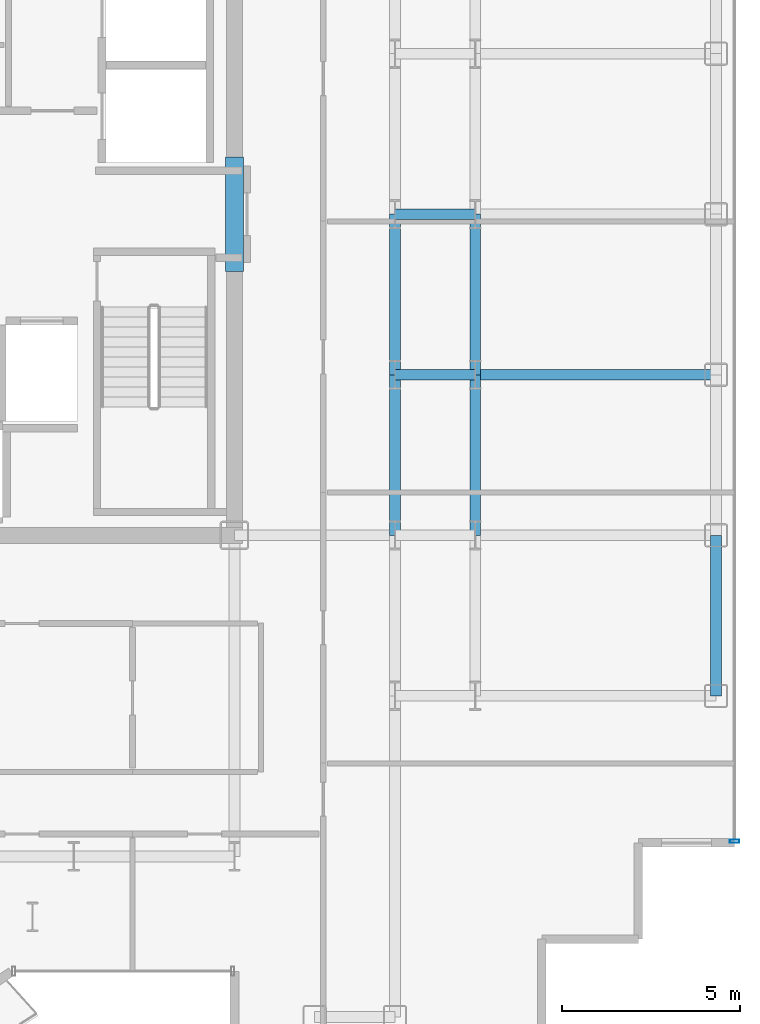
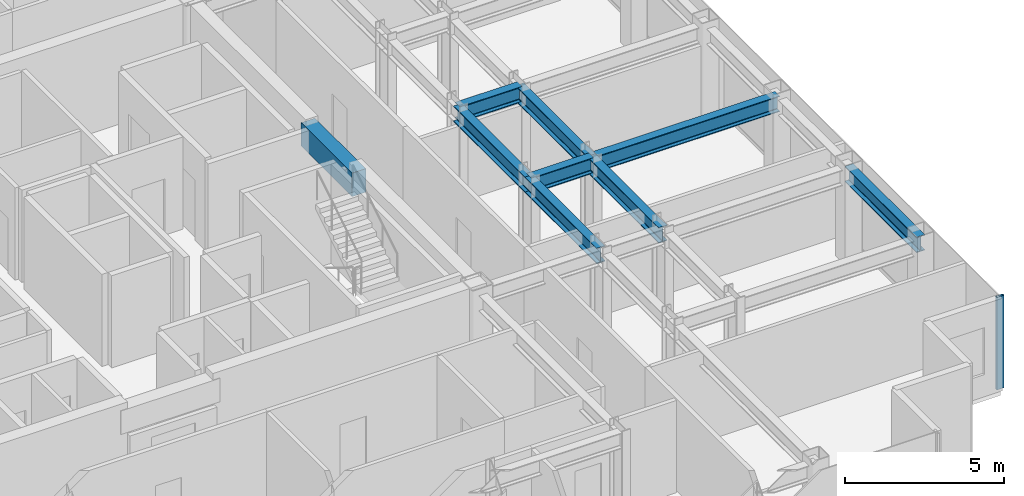
# One storey, part 6 of 21: 9 beams, 1 member, 1 element without a shape of its own.
"""IFC4 building model written with IfcOpenShell, lengths in metres."""

from ifc_helpers import new_model, si_unit, direction, frame, origin, origin_2d, place, context, subcontext, project, spatial, rectangle, hollow_rectangle, i_section, extrude, source, transform, mapped, material, layer, layer_set, material_profile, profile_set, type_object, element, aggregate, save


model = new_model("IFC4")

# Units and contexts
model_context = context("Model", 3, precision=1e-05, world=origin(), true_north=direction((0.0, 1.0)))
body_context = subcontext(model_context, "Body", "Model", "MODEL_VIEW")
ifc_project = project(units=[si_unit("LENGTHUNIT", "METRE"), si_unit("AREAUNIT", "SQUARE_METRE"), si_unit("VOLUMEUNIT", "CUBIC_METRE"), si_unit("PLANEANGLEUNIT", "RADIAN"), si_unit("MASSUNIT", "GRAM", prefix="KILO")], contexts=[model_context])

# Site, building, storey
site_placement = place(None, origin())
site = spatial("IfcSite", under=ifc_project, at=site_placement, CompositionType="ELEMENT")
building_placement = place(site_placement, origin())
building = spatial("IfcBuilding", under=site, at=building_placement, Name="Nefas-Gora Pilgrimage Tower", CompositionType="ELEMENT")
storey_placement = place(building_placement, frame((0.0, 0.0, 233.199951171875)))
storey = spatial("IfcBuildingStorey", under=building, at=storey_placement, Name="L58", CompositionType="ELEMENT", Elevation=233.199951171875)

# Beams
ifc_material_1 = material(Name="Concrete C50/60", Category="concrete")
ifc_material_profile_1 = material_profile(ifc_material_1, rectangle(XDim=0.5, YDim=0.89990234375, at=origin_2d()), Name="RC 500x900")
ifc_profile_set_1 = profile_set([ifc_material_profile_1], Name="Concrete C50/60")
beam_type_1 = type_object("IfcBeamType", Name="BM-LIN-RC900", PredefinedType="LINTEL", material=ifc_profile_set_1)
shared_shape_1 = source(origin(), body_context, "Body", "SweptSolid", [
    extrude(rectangle(XDim=0.5, YDim=0.89990234375, at=origin_2d()), origin(), (0.0, 0.0, 1.0), 3.2001953125),
])
beam_1_placement = place(storey_placement, frame((11.25, -1.60009765625, 3.10009765625), z_axis=(0.0, 1.0, 0.0), x_axis=(-1.0, 0.0, 0.0)))
element("IfcBeam", 1, at=beam_1_placement, inside=storey, type_object=beam_type_1, Name="L58 Core Coupling Lintel Beam E", PredefinedType="LINTEL", context=body_context, shape_type="MappedRepresentation", body=[
    mapped(shared_shape_1, transform((0.0, 0.0, 0.0), x_axis=(1.0, 0.0, 0.0), y_axis=(0.0, 1.0, 0.0), z_axis=(0.0, 0.0, 1.0), scale=1.0)),
])
ifc_material_2 = material(Name="Steel S355", Category="steel")
ifc_material_profile_2 = material_profile(ifc_material_2, i_section(OverallWidth=0.300048828125, OverallDepth=0.60009765625, WebThickness=0.015380859375, FlangeThickness=0.030029296875, FilletRadius=0.027099609375, at=origin_2d()), Name="HEB 600")
ifc_profile_set_2 = profile_set([ifc_material_profile_2], Name="Steel S355")
beam_type_2 = type_object("IfcBeamType", Name="BM-SPN-HEB450", PredefinedType="SPANDREL", material=ifc_profile_set_2)
shared_shape_2 = source(origin(), body_context, "Body", "SweptSolid", [
    extrude(i_section(OverallWidth=0.300048828125, OverallDepth=0.60009765625, WebThickness=0.015380859375, FlangeThickness=0.030029296875, FilletRadius=0.027099609375, at=origin_2d()), origin(), (0.0, 0.0, 1.0), 4.5),
])
beam_2_placement = place(storey_placement, frame((24.75, -13.5, 3.25), z_axis=(0.0, 1.0, 0.0), x_axis=(-1.0, 0.0, 0.0)))
element("IfcBeam", 2, at=beam_2_placement, inside=storey, type_object=beam_type_2, Name="L58 SP-03 beam", PredefinedType="SPANDREL", context=body_context, shape_type="MappedRepresentation", body=[
    mapped(shared_shape_2, transform((0.0, 0.0, 0.0), x_axis=(1.0, 0.0, 0.0), y_axis=(0.0, 1.0, 0.0), z_axis=(0.0, 0.0, 1.0), scale=1.0)),
])
ifc_material_profile_3 = material_profile(ifc_material_2, i_section(OverallWidth=0.300048828125, OverallDepth=0.60009765625, WebThickness=0.015380859375, FlangeThickness=0.030029296875, FilletRadius=0.027099609375, at=origin_2d()), Name="HEB 600")
ifc_profile_set_3 = profile_set([ifc_material_profile_3], Name="Steel S355")
beam_type_3 = type_object("IfcBeamType", Name="BM-GIR-HEB600", PredefinedType="BEAM", material=ifc_profile_set_3)
shared_shape_3 = source(origin(), body_context, "Body", "SweptSolid", [
    extrude(i_section(OverallWidth=0.300048828125, OverallDepth=0.60009765625, WebThickness=0.015380859375, FlangeThickness=0.030029296875, FilletRadius=0.027099609375, at=origin_2d()), origin(), (0.0, 0.0, 1.0), 4.5),
])
for number, where, z_axis, x_axis, name in (
    (3, (15.75, -9.0, 3.25), (0.0, 1.0, 0.0), (-1.0, 0.0, 0.0), "L58 G-04 beam"),
    (4, (15.75, -4.5, 3.25), (0.0, 1.0, 0.0), (-1.0, 0.0, 0.0), "L58 G-04 beam"),
    (5, (18.0, -9.0, 3.25), (0.0, 1.0, 0.0), (-1.0, 0.0, 0.0), "L58 G-04 beam"),
    (6, (18.0, -4.5, 3.25), (0.0, 1.0, 0.0), (-1.0, 0.0, 0.0), "L58 G-04 beam"),
):
    element("IfcBeam", number, at=place(storey_placement, frame(where, z_axis=z_axis, x_axis=x_axis)), inside=storey, type_object=beam_type_3, Name=name, PredefinedType="BEAM", context=body_context, shape_type="MappedRepresentation", body=[
        mapped(shared_shape_3, transform((0.0, 0.0, 0.0), x_axis=(1.0, 0.0, 0.0), y_axis=(0.0, 1.0, 0.0), z_axis=(0.0, 0.0, 1.0), scale=1.0)),
    ])
shared_shape_4 = source(origin(), body_context, "Body", "SweptSolid", [
    extrude(i_section(OverallWidth=0.300048828125, OverallDepth=0.60009765625, WebThickness=0.015380859375, FlangeThickness=0.030029296875, FilletRadius=0.027099609375, at=origin_2d()), origin(), (0.0, 0.0, 1.0), 6.75),
])
beam_3_placement = place(storey_placement, frame((18.0, -4.5, 3.25), z_axis=(1.0, 0.0, 0.0), x_axis=(0.0, 1.0, 0.0)))
element("IfcBeam", 7, at=beam_3_placement, inside=storey, type_object=beam_type_3, Name="L58 G-04 beam", PredefinedType="BEAM", context=body_context, shape_type="MappedRepresentation", body=[
    mapped(shared_shape_4, transform((0.0, 0.0, 0.0), x_axis=(1.0, 0.0, 0.0), y_axis=(0.0, 1.0, 0.0), z_axis=(0.0, 0.0, 1.0), scale=1.0)),
])
shared_shape_5 = source(origin(), body_context, "Body", "SweptSolid", [
    extrude(i_section(OverallWidth=0.300048828125, OverallDepth=0.60009765625, WebThickness=0.015380859375, FlangeThickness=0.030029296875, FilletRadius=0.027099609375, at=origin_2d()), origin(), (0.0, 0.0, 1.0), 2.25),
])
for number, where, z_axis, x_axis, name in (
    (8, (15.75, -4.5, 3.25), (1.0, 0.0, 0.0), (0.0, 1.0, 0.0), "L58 G-04 beam"),
    (9, (15.75, 0.0, 3.25), (1.0, 0.0, 0.0), (0.0, 1.0, 0.0), "L58 G-04 beam"),
):
    element("IfcBeam", number, at=place(storey_placement, frame(where, z_axis=z_axis, x_axis=x_axis)), inside=storey, type_object=beam_type_3, Name=name, PredefinedType="BEAM", context=body_context, shape_type="MappedRepresentation", body=[
        mapped(shared_shape_5, transform((0.0, 0.0, 0.0), x_axis=(1.0, 0.0, 0.0), y_axis=(0.0, 1.0, 0.0), z_axis=(0.0, 0.0, 1.0), scale=1.0)),
    ])

# Curtain wall, member
ifc_material_3 = material(Name="Dark ceramic-fritted solar-control aluminium-glass curtain wall", Category="aluminium")
ifc_layer = layer(ifc_material_3, 0.219970703125)
ifc_layer_set = layer_set([ifc_layer], Name="Dark ceramic-fritted solar-control aluminium-glass curtain wall")
curtain_wall_type = type_object("IfcCurtainWallType", Name="CW-SYS-3", PredefinedType="NOTDEFINED", material=ifc_layer_set)
curtain_wall_placement = place(storey_placement, origin())
curtain_wall = element("IfcCurtainWall", 10, at=curtain_wall_placement, inside=storey, type_object=curtain_wall_type, Name="L58 Unitised Curtain Wall CW3", PredefinedType="NOTDEFINED")
ifc_material_4 = material(Name="Anodised architectural aluminium", Category="aluminium")
ifc_material_profile_4 = material_profile(ifc_material_4, hollow_rectangle(XDim=0.090087890625, YDim=0.260009765625, WallThickness=0.006103515625, InnerFilletRadius=0.006103515625, OuterFilletRadius=0.011962890625, at=origin_2d()), Name="ALU MULLION 90x260")
ifc_profile_set_4 = profile_set([ifc_material_profile_4], Name="Anodised architectural aluminium")
member_type = type_object("IfcMemberType", Name="CWM-MUL-3", PredefinedType="MULLION", material=ifc_profile_set_4)
shared_shape_6 = source(origin(), body_context, "Body", "SweptSolid", [
    extrude(hollow_rectangle(XDim=0.090087890625, YDim=0.260009765625, WallThickness=0.006103515625, InnerFilletRadius=0.006103515625, OuterFilletRadius=0.011962890625, at=origin_2d()), origin(), (0.0, 0.0, 1.0), 3.550048828125),
])
member_placement = place(storey_placement, frame((25.27001953125, -17.574951171875, 0.0), z_axis=(0.0, 0.0, 1.0), x_axis=(0.0, 1.0, 0.0)))
member = element("IfcMember", 11, at=member_placement, type_object=member_type, Name="CW3 Mullion 1", PredefinedType="MULLION", context=body_context, shape_type="MappedRepresentation", body=[
    mapped(shared_shape_6, transform((0.0, 0.0, 0.0), x_axis=(1.0, 0.0, 0.0), y_axis=(0.0, 1.0, 0.0), z_axis=(0.0, 0.0, 1.0), scale=1.0)),
])
aggregate(curtain_wall, [member])

save(model, "model.ifc")
